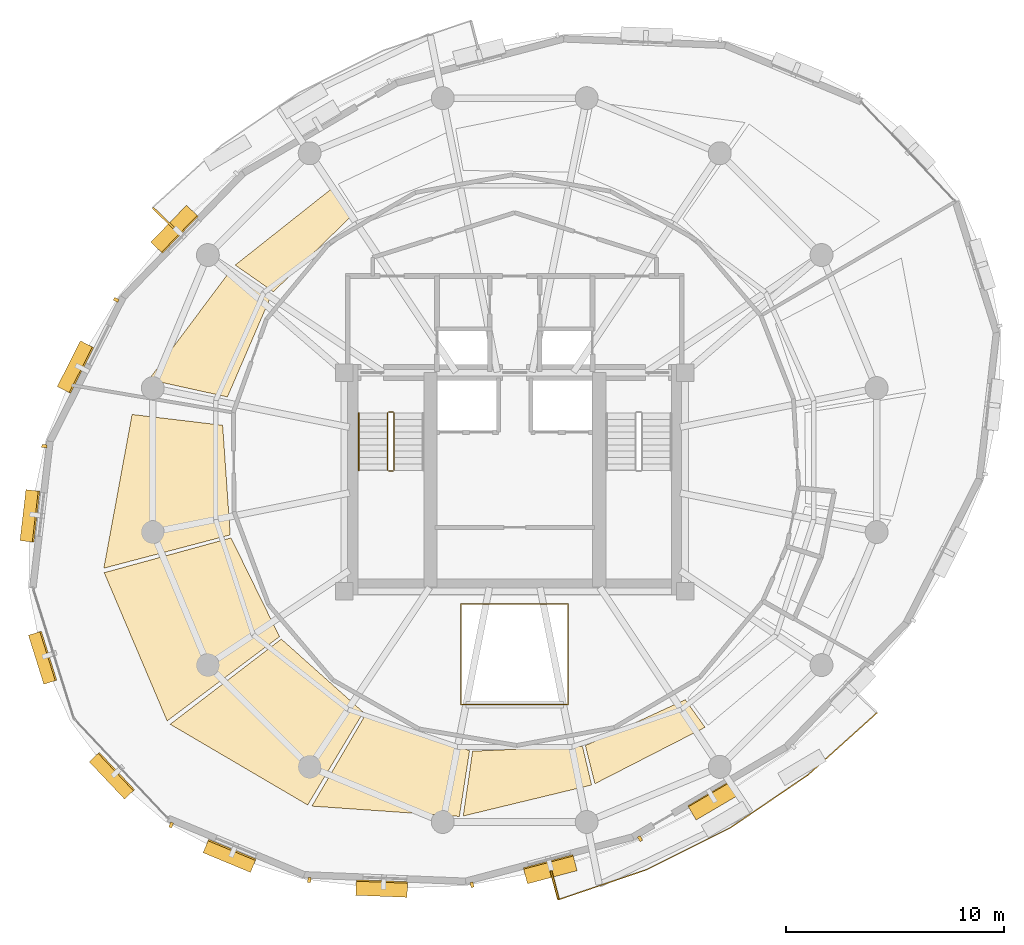
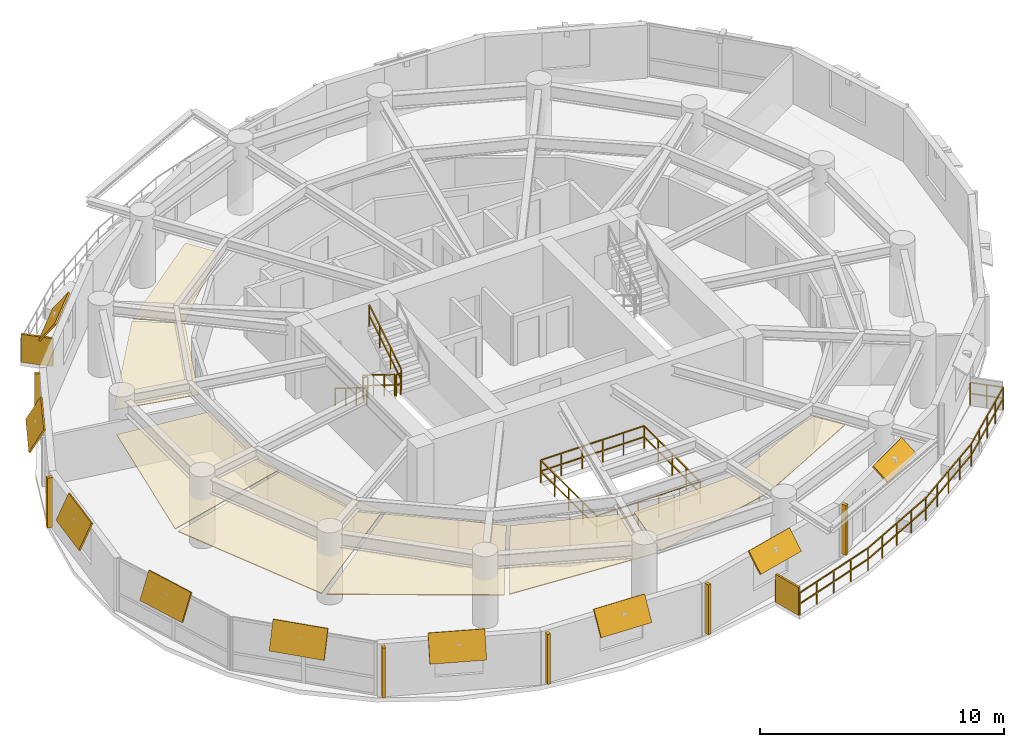
# One storey, part 13 of 14: 17 shading devices, 8 coverings, 7 railings.
"""IFC4 building model written with IfcOpenShell, lengths in metres."""

import ifcopenshell
import ifcopenshell.guid

model = None  # the IFC model being written
_history = None  # IfcOwnerHistory: only IFC2X3 demands one
_inside = {}  # id of a spatial element -> (the spatial element, [elements in it])
_under = {}  # id of a project, library or spatial element -> (it, [spatial elements below it])
_declared = {}  # id of a project -> (the project, [libraries it declares])
_typed = {}  # id of a type object -> (the type object, [elements of that type])
_made_of = {}  # id of a material, layer set ... -> (it, [elements and type objects made of it])


def new_model(schema):
    """Start an empty IFC model of exactly this schema.

    Asked for "IFC4X3", IfcOpenShell would pick the latest addendum, in which some entities
    have other attributes; the version numbers below select the first issue.
    IFC2X3 requires an IfcOwnerHistory on every rooted entity: one is made here for all.
    """
    global model, _history
    if schema == "IFC4X3":
        model = ifcopenshell.file(schema_version=(4, 3, 0, 0))
    else:
        model = ifcopenshell.file(schema=schema)
    _inside.clear()
    _under.clear()
    _declared.clear()
    _typed.clear()
    _made_of.clear()
    _history = None
    if model.schema == "IFC2X3":
        org = make("IfcOrganization", Name="unknown")
        user = make(
            "IfcPersonAndOrganization",
            ThePerson=make("IfcPerson", FamilyName="unknown"),
            TheOrganization=org,
        )
        app = make(
            "IfcApplication",
            ApplicationDeveloper=org,
            Version="unknown",
            ApplicationFullName="unknown",
            ApplicationIdentifier="unknown",
        )
        _history = make(
            "IfcOwnerHistory",
            OwningUser=user,
            OwningApplication=app,
            ChangeAction="ADDED",
            CreationDate=0,
        )
    return model


def make(cls, **values):
    """One entity of the class cls with the attributes given. An attribute that is None is left unset."""
    return model.create_entity(
        cls, **{name: value for name, value in values.items() if value is not None}
    )


def rooted(cls, **values):
    """An entity with a GlobalId (a new one), such as an element, a storey or a relation."""
    return make(cls, GlobalId=ifcopenshell.guid.new(), OwnerHistory=_history, **values)


def si_unit(unit_type, name, prefix=None):
    """IfcSIUnit, for example si_unit("LENGTHUNIT", "METRE", prefix="MILLI")."""
    return make("IfcSIUnit", UnitType=unit_type, Prefix=prefix, Name=name)


def assignment(units):
    """IfcUnitAssignment: the units of a project."""
    return None if units is None else make("IfcUnitAssignment", Units=units)


def point(xyz):
    """IfcCartesianPoint."""
    return None if xyz is None else make("IfcCartesianPoint", Coordinates=xyz)


def direction(xyz):
    """IfcDirection."""
    return None if xyz is None else make("IfcDirection", DirectionRatios=xyz)


def frame(location, z_axis=None, x_axis=None):
    """IfcAxis2Placement3D, a coordinate frame: its origin and axes. An axis left out is left unset."""
    return make(
        "IfcAxis2Placement3D",
        Location=point(location),
        Axis=direction(z_axis),
        RefDirection=direction(x_axis),
    )


def frame_2d(location, x_axis=None):
    """IfcAxis2Placement2D, a coordinate frame in the plane: its origin and x axis."""
    return make(
        "IfcAxis2Placement2D", Location=point(location), RefDirection=direction(x_axis)
    )


def origin():
    """The frame at (0, 0, 0) with its axes left unset."""
    return frame((0.0, 0.0, 0.0))


def origin_2d():
    """The frame at (0, 0) in the plane with its x axis left unset."""
    return frame_2d((0.0, 0.0))


def place(relative_to, where):
    """IfcLocalPlacement: puts the frame where relative to a parent placement (None: the world)."""
    return make(
        "IfcLocalPlacement", PlacementRelTo=relative_to, RelativePlacement=where
    )


def context(
    kind, dimensions, precision=None, world=None, true_north=None, identifier=None
):
    """IfcGeometricRepresentationContext, for example the 3D "Model" context."""
    return make(
        "IfcGeometricRepresentationContext",
        ContextIdentifier=identifier,
        ContextType=kind,
        CoordinateSpaceDimension=dimensions,
        Precision=precision,
        WorldCoordinateSystem=world,
        TrueNorth=true_north,
    )


def subcontext(parent, identifier, kind, view, scale=None):
    """IfcGeometricRepresentationSubContext, for example "Body" below "Model"."""
    return make(
        "IfcGeometricRepresentationSubContext",
        ContextIdentifier=identifier,
        ContextType=kind,
        ParentContext=parent,
        TargetScale=scale,
        TargetView=view,
    )


def project(units=None, contexts=None):
    """IfcProject with its units and contexts."""
    return rooted(
        "IfcProject",
        Name="project",
        RepresentationContexts=contexts,
        UnitsInContext=assignment(units),
    )


def spatial(cls, under=None, at=None, **own):
    """A site, building, storey or space (cls), placed at a placement, below another one or the project."""
    s = rooted(cls, ObjectPlacement=at, **own)
    if under is not None:
        _under.setdefault(under.id(), (under, []))[1].append(s)
    return s


def polyline(points):
    """IfcPolyline through the points."""
    return make("IfcPolyline", Points=[point(p) for p in points])


def profile(cls, at=None, kind="AREA", **sizes):
    """A parametric profile (cls). Its sizes go by their IFC names, for example OverallWidth=200.0."""
    return make(cls, ProfileType=kind, Position=at, **sizes)


def rectangle(**sizes):
    """IfcRectangleProfileDef."""
    return profile("IfcRectangleProfileDef", **sizes)


def outline(outer, holes=None, kind="AREA"):
    """IfcArbitraryClosedProfileDef: a profile drawn as a closed curve; with holes, ...WithVoids."""
    if holes is None:
        return make("IfcArbitraryClosedProfileDef", ProfileType=kind, OuterCurve=outer)
    return make(
        "IfcArbitraryProfileDefWithVoids",
        ProfileType=kind,
        OuterCurve=outer,
        InnerCurves=holes,
    )


def extrude(swept, where, along, depth):
    """IfcExtrudedAreaSolid: the profile swept, set in the frame where, extruded along a direction by depth."""
    return make(
        "IfcExtrudedAreaSolid",
        SweptArea=swept,
        Position=where,
        ExtrudedDirection=direction(along),
        Depth=depth,
    )


def shape(context_of_items, identifier, shape_type, items):
    """IfcShapeRepresentation: the items that make up one representation, for example the "Body"."""
    return make(
        "IfcShapeRepresentation",
        ContextOfItems=context_of_items,
        RepresentationIdentifier=identifier,
        RepresentationType=shape_type,
        Items=items,
    )


def material(Name=None, Category=None):
    """IfcMaterial."""
    return make("IfcMaterial", Name=Name, Category=Category)


def layer(
    of_material, thickness, ventilated=None, Name=None, Category=None, Priority=None
):
    """IfcMaterialLayer: one layer of a wall or slab, of a material (None: an air gap)."""
    return make(
        "IfcMaterialLayer",
        Material=of_material,
        LayerThickness=thickness,
        IsVentilated=ventilated,
        Name=Name,
        Category=Category,
        Priority=Priority,
    )


def layer_set(layers, Name=None):
    """IfcMaterialLayerSet."""
    return make("IfcMaterialLayerSet", MaterialLayers=layers, LayerSetName=Name)


def made_of(thing, what):
    """Note that an element or type object is made of a material, layer set ...; save() writes the relation."""
    if what is not None:
        _made_of.setdefault(what.id(), (what, []))[1].append(thing)
    return thing


def type_object(cls, material=None, **own):
    """A type object (cls), such as IfcWallType, which elements share."""
    return made_of(rooted(cls, **own), material)


def element(
    cls,
    number,
    at=None,
    inside=None,
    cuts=None,
    type_object=None,
    material=None,
    context=None,
    identifier="Body",
    shape_type=None,
    held_by="IfcProductDefinitionShape",
    body=None,
    shapes=None,
    **own,
):
    """One element of the class cls, such as IfcWall. Its Tag is "e" and its number.

    at: its placement. inside: the storey or other place that contains it. cuts: it is an
    opening in that element (IfcRelVoidsElement). A single representation is given by context,
    identifier, shape_type and body (its items); several are given by shapes. held_by: the class
    of the entity that holds the representations. save() writes the other relations.
    """
    e = rooted(cls, Tag="e%d" % number, ObjectPlacement=at, **own)
    if body is not None:
        shapes = [shape(context, identifier, shape_type, body)]
    if shapes is not None:
        e.Representation = make(held_by, Representations=shapes)
    if inside is not None:
        _inside.setdefault(inside.id(), (inside, []))[1].append(e)
    if cuts is not None:
        rooted(
            "IfcRelVoidsElement", RelatingBuildingElement=cuts, RelatedOpeningElement=e
        )
    if type_object is not None:
        _typed.setdefault(type_object.id(), (type_object, []))[1].append(e)
    return made_of(e, material)


def aggregate(whole, parts):
    """IfcRelAggregates: a whole, such as a stair, and the parts it consists of."""
    return rooted("IfcRelAggregates", RelatingObject=whole, RelatedObjects=parts)


def save(model, path):
    """Write the relations noted so far, then the file.

    IfcRelAggregates (storeys below a building ...), IfcRelContainedInSpatialStructure (elements
    in a storey), IfcRelDefinesByType, IfcRelAssociatesMaterial and IfcRelDeclares: one each for
    every whole, place, type object, material and project.
    """
    for whole, parts in _under.values():
        aggregate(whole, parts)
    for where, things in _inside.values():
        rooted(
            "IfcRelContainedInSpatialStructure",
            RelatedElements=things,
            RelatingStructure=where,
        )
    for kind, things in _typed.values():
        rooted("IfcRelDefinesByType", RelatedObjects=things, RelatingType=kind)
    for what, things in _made_of.values():
        rooted("IfcRelAssociatesMaterial", RelatedObjects=things, RelatingMaterial=what)
    for by, libraries in _declared.values():
        rooted("IfcRelDeclares", RelatingContext=by, RelatedDefinitions=libraries)
    model.write(path)


model = new_model("IFC4")

# Units and contexts
model_context = context("Model", 3, precision=1e-05, world=origin(), true_north=direction((0.0, 1.0)))
body_context = subcontext(model_context, "Body", "Model", "MODEL_VIEW")
ifc_project = project(units=[si_unit("LENGTHUNIT", "METRE"), si_unit("AREAUNIT", "SQUARE_METRE"), si_unit("VOLUMEUNIT", "CUBIC_METRE"), si_unit("PLANEANGLEUNIT", "RADIAN"), si_unit("MASSUNIT", "GRAM", prefix="KILO"), si_unit("THERMODYNAMICTEMPERATUREUNIT", "KELVIN"), si_unit("POWERUNIT", "WATT")], contexts=[model_context])

# Site, building, storey
site_placement = place(None, origin())
site = spatial("IfcSite", under=ifc_project, at=site_placement, CompositionType="ELEMENT")
building_placement = place(site_placement, origin())
building = spatial("IfcBuilding", under=site, at=building_placement, Name="Ocrelia Relay Tower", CompositionType="ELEMENT")
storey_placement = place(building_placement, frame((0.0, 0.0, 162.800048828125)))
storey = spatial("IfcBuildingStorey", under=building, at=storey_placement, Name="L38", CompositionType="ELEMENT", Elevation=162.800048828125)

# Coverings
ifc_material_1 = material(Name="Mineral-fiber acoustic ceiling tile", Category="gypsum")
ifc_layer_1 = layer(ifc_material_1, 0.0400390625, Name="Mineral-fiber acoustic ceiling tile")
ifc_layer_set_1 = layer_set([ifc_layer_1], Name="Mineral-fiber acoustic ceiling tile")
covering_type_1 = type_object("IfcCoveringType", Name="COV-CEIL-ACOUSTIC", PredefinedType="CEILING", material=ifc_layer_set_1)
covering_1_placement = place(storey_placement, frame((0.0, 0.0, 2.3798828125)))
element("IfcCovering", 1, at=covering_1_placement, inside=storey, type_object=covering_type_1, Name="L38 Cloud Engineering Workspace Suspended Ceiling 5", PredefinedType="CEILING", context=body_context, shape_type="SweptSolid", body=[
    extrude(outline(polyline([(26.624267578125, 37.271240234375), (25.7822265625, 38.55810546875), (21.19921875, 34.93017578125), (22.95263671875, 33.706787109375), (26.624267578125, 37.271240234375)])), origin(), (0.0, 0.0, 1.0), 0.0400390625),
])
covering_2_placement = place(storey_placement, frame((0.0, 0.0, 2.3798828125)))
element("IfcCovering", 2, at=covering_2_placement, inside=storey, type_object=covering_type_1, Name="L38 Cloud Engineering Workspace Suspended Ceiling 6", PredefinedType="CEILING", context=body_context, shape_type="SweptSolid", body=[
    extrude(outline(polyline([(22.87255859375, 33.5908203125), (21.081787109375, 34.812255859375), (17.244384765625, 29.68408203125), (20.84423828125, 28.892578125), (22.87255859375, 33.5908203125)])), origin(), (0.0, 0.0, 1.0), 0.0400390625),
])
ifc_material_2 = material(Name="Cleanroom metal-pan acoustic ceiling", Category="aluminium")
ifc_layer_2 = layer(ifc_material_2, 0.0400390625, Name="Cleanroom metal-pan acoustic ceiling")
ifc_layer_set_2 = layer_set([ifc_layer_2], Name="Cleanroom metal-pan acoustic ceiling")
covering_type_2 = type_object("IfcCoveringType", Name="COV-CEIL-CLEAN", PredefinedType="CEILING", material=ifc_layer_set_2)
covering_3_placement = place(storey_placement, frame((0.0, 0.0, 2.3798828125)))
element("IfcCovering", 3, at=covering_3_placement, inside=storey, type_object=covering_type_2, Name="L38 Protocol Simulation Studio Suspended Ceiling 1", PredefinedType="CEILING", context=body_context, shape_type="SweptSolid", body=[
    extrude(outline(polyline([(20.624755859375, 27.594970703125), (16.476318359375, 28.089599609375), (15.18408203125, 21.048583984375), (20.973388671875, 22.572021484375), (20.624755859375, 27.594970703125)])), origin(), (0.0, 0.0, 1.0), 0.0400390625),
])
covering_4_placement = place(storey_placement, frame((0.0, 0.0, 2.3798828125)))
element("IfcCovering", 4, at=covering_4_placement, inside=storey, type_object=covering_type_2, Name="L38 Protocol Simulation Studio Suspended Ceiling 2", PredefinedType="CEILING", context=body_context, shape_type="SweptSolid", body=[
    extrude(outline(polyline([(21.010009765625, 22.435791015625), (15.199951171875, 20.841796875), (18.08203125, 14.0546875), (23.226318359375, 17.9150390625), (21.010009765625, 22.435791015625)])), origin(), (0.0, 0.0, 1.0), 0.0400390625),
])
covering_5_placement = place(storey_placement, frame((0.0, 0.0, 2.3798828125)))
element("IfcCovering", 5, at=covering_5_placement, inside=storey, type_object=covering_type_2, Name="L38 Protocol Simulation Studio Suspended Ceiling 3", PredefinedType="CEILING", context=body_context, shape_type="SweptSolid", body=[
    extrude(outline(polyline([(23.3115234375, 17.802490234375), (18.222900390625, 13.900146484375), (24.519287109375, 10.203857421875), (27.068115234375, 14.450439453125), (23.3115234375, 17.802490234375)])), origin(), (0.0, 0.0, 1.0), 0.0400390625),
])
covering_6_placement = place(storey_placement, frame((0.0, 0.0, 2.3798828125)))
element("IfcCovering", 6, at=covering_6_placement, inside=storey, type_object=covering_type_2, Name="L38 Protocol Simulation Studio Suspended Ceiling 4", PredefinedType="CEILING", context=body_context, shape_type="SweptSolid", body=[
    extrude(outline(polyline([(27.189453125, 14.37841796875), (24.71240234375, 10.151611328125), (31.46533203125, 9.681396484375), (31.9326171875, 12.689697265625), (27.189453125, 14.37841796875)])), origin(), (0.0, 0.0, 1.0), 0.0400390625),
])
covering_7_placement = place(storey_placement, frame((0.0, 0.0, 2.3798828125)))
element("IfcCovering", 7, at=covering_7_placement, inside=storey, type_object=covering_type_2, Name="L38 Protocol Simulation Studio Suspended Ceiling 5", PredefinedType="CEILING", context=body_context, shape_type="SweptSolid", body=[
    extrude(outline(polyline([(32.072021484375, 12.668701171875), (31.642822265625, 9.699951171875), (37.521484375, 11.119384765625), (37.10205078125, 12.89208984375), (32.072021484375, 12.668701171875)])), origin(), (0.0, 0.0, 1.0), 0.0400390625),
])
covering_8_placement = place(storey_placement, frame((0.0, 0.0, 2.3798828125)))
element("IfcCovering", 8, at=covering_8_placement, inside=storey, type_object=covering_type_2, Name="L38 Protocol Simulation Studio Suspended Ceiling 6", PredefinedType="CEILING", context=body_context, shape_type="SweptSolid", body=[
    extrude(outline(polyline([(37.239013671875, 12.92529296875), (37.67236328125, 11.1767578125), (42.71630859375, 13.760986328125), (41.81396484375, 15.028076171875), (37.239013671875, 12.92529296875)])), origin(), (0.0, 0.0, 1.0), 0.0400390625),
])

# Railings
ifc_material_3 = material(Name="Steel S355 balustrade", Category="steel")
railing_type_1 = type_object("IfcRailingType", Name="RL-EXT-GUARD-1150", PredefinedType="GUARDRAIL", material=ifc_material_3)
railing_1_placement = place(storey_placement, frame((49.590576171875, 15.3935546875, 0.0)))
element("IfcRailing", 9, at=railing_1_placement, inside=storey, type_object=railing_type_1, Name="L38 Loggia Balcony Guard Rail B2", PredefinedType="GUARDRAIL", context=body_context, shape_type="SweptSolid", body=[
    extrude(rectangle(XDim=0.048095703125, YDim=0.048095703125, at=origin_2d()), frame((0.0, 0.0, 1.1259765625), z_axis=(0.719869312116, -0.694109626409, 0.0), x_axis=(0.694109626409, 0.719869312116, 0.0)), (0.0, 0.0, 1.0), 1.393310546875),
    extrude(rectangle(XDim=0.048095703125, YDim=0.048095703125, at=origin_2d()), frame((0.0, 0.0, 0.574951171875), z_axis=(0.719869312116, -0.694109626409, 0.0), x_axis=(0.694109626409, 0.719869312116, 0.0)), (0.0, 0.0, 1.0), 1.393310546875),
    extrude(rectangle(XDim=0.048095703125, YDim=0.048095703125, at=origin_2d()), frame((1.0029296875, -0.967041015625, 1.1259765625), z_axis=(-0.742997237485, -0.669294483087, 0.0), x_axis=(0.669294483087, -0.742997237485, 0.0)), (0.0, 0.0, 1.0), 2.126708984375),
    extrude(rectangle(XDim=0.048095703125, YDim=0.048095703125, at=origin_2d()), frame((1.0029296875, -0.967041015625, 0.574951171875), z_axis=(-0.742997237485, -0.669294483087, 0.0), x_axis=(0.669294483087, -0.742997237485, 0.0)), (0.0, 0.0, 1.0), 2.126708984375),
    extrude(rectangle(XDim=0.048095703125, YDim=0.048095703125, at=origin_2d()), frame((-0.5771484375, -2.390380859375, 1.1259765625), z_axis=(-0.742997237485, -0.669294483087, 0.0), x_axis=(0.669294483087, -0.742997237485, 0.0)), (0.0, 0.0, 1.0), 2.126708984375),
    extrude(rectangle(XDim=0.048095703125, YDim=0.048095703125, at=origin_2d()), frame((-0.5771484375, -2.390380859375, 0.574951171875), z_axis=(-0.742997237485, -0.669294483087, 0.0), x_axis=(0.669294483087, -0.742997237485, 0.0)), (0.0, 0.0, 1.0), 2.126708984375),
    extrude(rectangle(XDim=0.048095703125, YDim=0.048095703125, at=origin_2d()), frame((-2.1572265625, -3.813720703125, 1.1259765625), z_axis=(-0.826682428882, -0.562668785146, 0.0), x_axis=(0.562668785146, -0.826682428882, 0.0)), (0.0, 0.0, 1.0), 4.299072265625),
    extrude(rectangle(XDim=0.048095703125, YDim=0.048095703125, at=origin_2d()), frame((-2.1572265625, -3.813720703125, 0.574951171875), z_axis=(-0.826682428882, -0.562668785146, 0.0), x_axis=(0.562668785146, -0.826682428882, 0.0)), (0.0, 0.0, 1.0), 4.299072265625),
    extrude(rectangle(XDim=0.048095703125, YDim=0.048095703125, at=origin_2d()), frame((-5.711181640625, -6.232666015625, 1.1259765625), z_axis=(-0.894449906034, -0.447168162547, 0.0), x_axis=(0.447168162547, -0.894449906034, 0.0)), (0.0, 0.0, 1.0), 4.299072265625),
    extrude(rectangle(XDim=0.048095703125, YDim=0.048095703125, at=origin_2d()), frame((-5.711181640625, -6.232666015625, 0.574951171875), z_axis=(-0.894449906034, -0.447168162547, 0.0), x_axis=(0.447168162547, -0.894449906034, 0.0)), (0.0, 0.0, 1.0), 4.299072265625),
    extrude(rectangle(XDim=0.048095703125, YDim=0.048095703125, at=origin_2d()), frame((-9.556396484375, -8.155029296875, 1.1259765625), z_axis=(-0.946737052501, -0.322007691556, 0.0), x_axis=(0.322007691556, -0.946737052501, 0.0)), (0.0, 0.0, 1.0), 2.126708984375),
    extrude(rectangle(XDim=0.048095703125, YDim=0.048095703125, at=origin_2d()), frame((-9.556396484375, -8.155029296875, 0.574951171875), z_axis=(-0.946737052501, -0.322007691556, 0.0), x_axis=(0.322007691556, -0.946737052501, 0.0)), (0.0, 0.0, 1.0), 2.126708984375),
    extrude(rectangle(XDim=0.048095703125, YDim=0.048095703125, at=origin_2d()), frame((-11.56982421875, -8.83984375, 1.1259765625), z_axis=(-0.946737052501, -0.322007691556, 0.0), x_axis=(0.322007691556, -0.946737052501, 0.0)), (0.0, 0.0, 1.0), 2.126708984375),
    extrude(rectangle(XDim=0.048095703125, YDim=0.048095703125, at=origin_2d()), frame((-11.56982421875, -8.83984375, 0.574951171875), z_axis=(-0.946737052501, -0.322007691556, 0.0), x_axis=(0.322007691556, -0.946737052501, 0.0)), (0.0, 0.0, 1.0), 2.126708984375),
    extrude(rectangle(XDim=0.048095703125, YDim=0.048095703125, at=origin_2d()), frame((-13.583251953125, -9.524658203125, 1.1259765625), z_axis=(-0.254596796515, 0.967047295226, 0.0), x_axis=(-0.967047295226, -0.254596796515, 0.0)), (0.0, 0.0, 1.0), 1.393310546875),
    extrude(rectangle(XDim=0.048095703125, YDim=0.048095703125, at=origin_2d()), frame((-13.583251953125, -9.524658203125, 0.574951171875), z_axis=(-0.254596796515, 0.967047295226, 0.0), x_axis=(-0.967047295226, -0.254596796515, 0.0)), (0.0, 0.0, 1.0), 1.393310546875),
    extrude(rectangle(XDim=0.0419921875, YDim=0.0419921875, at=origin_2d()), origin(), (0.0, 0.0, 1.0), 1.101806640625),
    extrude(rectangle(XDim=0.0419921875, YDim=0.0419921875, at=origin_2d()), frame((0.50146484375, -0.4833984375, 0.0)), (0.0, 0.0, 1.0), 1.101806640625),
    extrude(rectangle(XDim=0.0419921875, YDim=0.0419921875, at=origin_2d()), frame((1.0029296875, -0.967041015625, 0.0)), (0.0, 0.0, 1.0), 1.101806640625),
    extrude(rectangle(XDim=0.0419921875, YDim=0.0419921875, at=origin_2d()), frame((0.212890625, -1.6787109375, 0.0)), (0.0, 0.0, 1.0), 1.101806640625),
    extrude(rectangle(XDim=0.0419921875, YDim=0.0419921875, at=origin_2d()), frame((-0.5771484375, -2.390380859375, 0.0)), (0.0, 0.0, 1.0), 1.101806640625),
    extrude(rectangle(XDim=0.0419921875, YDim=0.0419921875, at=origin_2d()), frame((-1.3671875, -3.10205078125, 0.0)), (0.0, 0.0, 1.0), 1.101806640625),
    extrude(rectangle(XDim=0.0419921875, YDim=0.0419921875, at=origin_2d()), frame((-2.1572265625, -3.813720703125, 0.0)), (0.0, 0.0, 1.0), 1.101806640625),
    extrude(rectangle(XDim=0.0419921875, YDim=0.0419921875, at=origin_2d()), frame((-3.045654296875, -4.41845703125, 0.0)), (0.0, 0.0, 1.0), 1.101806640625),
    extrude(rectangle(XDim=0.0419921875, YDim=0.0419921875, at=origin_2d()), frame((-3.93408203125, -5.023193359375, 0.0)), (0.0, 0.0, 1.0), 1.101806640625),
    extrude(rectangle(XDim=0.0419921875, YDim=0.0419921875, at=origin_2d()), frame((-4.82275390625, -5.6279296875, 0.0)), (0.0, 0.0, 1.0), 1.101806640625),
    extrude(rectangle(XDim=0.0419921875, YDim=0.0419921875, at=origin_2d()), frame((-5.711181640625, -6.232666015625, 0.0)), (0.0, 0.0, 1.0), 1.101806640625),
    extrude(rectangle(XDim=0.0419921875, YDim=0.0419921875, at=origin_2d()), frame((-6.67236328125, -6.71337890625, 0.0)), (0.0, 0.0, 1.0), 1.101806640625),
    extrude(rectangle(XDim=0.0419921875, YDim=0.0419921875, at=origin_2d()), frame((-7.6337890625, -7.19384765625, 0.0)), (0.0, 0.0, 1.0), 1.101806640625),
    extrude(rectangle(XDim=0.0419921875, YDim=0.0419921875, at=origin_2d()), frame((-8.59521484375, -7.67431640625, 0.0)), (0.0, 0.0, 1.0), 1.101806640625),
    extrude(rectangle(XDim=0.0419921875, YDim=0.0419921875, at=origin_2d()), frame((-9.556396484375, -8.155029296875, 0.0)), (0.0, 0.0, 1.0), 1.101806640625),
    extrude(rectangle(XDim=0.0419921875, YDim=0.0419921875, at=origin_2d()), frame((-10.56298828125, -8.49755859375, 0.0)), (0.0, 0.0, 1.0), 1.101806640625),
    extrude(rectangle(XDim=0.0419921875, YDim=0.0419921875, at=origin_2d()), frame((-11.56982421875, -8.83984375, 0.0)), (0.0, 0.0, 1.0), 1.101806640625),
    extrude(rectangle(XDim=0.0419921875, YDim=0.0419921875, at=origin_2d()), frame((-12.57666015625, -9.18212890625, 0.0)), (0.0, 0.0, 1.0), 1.101806640625),
    extrude(rectangle(XDim=0.0419921875, YDim=0.0419921875, at=origin_2d()), frame((-13.583251953125, -9.524658203125, 0.0)), (0.0, 0.0, 1.0), 1.101806640625),
    extrude(rectangle(XDim=0.0419921875, YDim=0.0419921875, at=origin_2d()), frame((-13.7607421875, -8.85107421875, 0.0)), (0.0, 0.0, 1.0), 1.101806640625),
    extrude(rectangle(XDim=0.0419921875, YDim=0.0419921875, at=origin_2d()), frame((-13.93798828125, -8.17724609375, 0.0)), (0.0, 0.0, 1.0), 1.101806640625),
])
ifc_material_4 = material(Name="Steel S355 atrium balustrade", Category="steel")
railing_type_2 = type_object("IfcRailingType", Name="RL-INT-GUARD-115", PredefinedType="GUARDRAIL", material=ifc_material_4)
railing_2_placement = place(storey_placement, frame((31.550048828125, 14.800048828125, 0.0)))
element("IfcRailing", 10, at=railing_2_placement, inside=storey, type_object=railing_type_2, Name="L38 Multi-Zone Interior Atrium Guard", PredefinedType="GUARDRAIL", context=body_context, shape_type="SweptSolid", body=[
    extrude(rectangle(XDim=0.048095703125, YDim=0.048095703125, at=origin_2d()), frame((0.0, 0.0, 1.1259765625), z_axis=(1.0, 0.0, 0.0), x_axis=(0.0, 1.0, 0.0)), (0.0, 0.0, 1.0), 4.89990234375),
    extrude(rectangle(XDim=0.048095703125, YDim=0.048095703125, at=origin_2d()), frame((0.0, 0.0, 0.574951171875), z_axis=(1.0, 0.0, 0.0), x_axis=(0.0, 1.0, 0.0)), (0.0, 0.0, 1.0), 4.89990234375),
    extrude(rectangle(XDim=0.048095703125, YDim=0.048095703125, at=origin_2d()), frame((4.89990234375, 0.0, 1.1259765625), z_axis=(0.0, 1.0, 0.0), x_axis=(-1.0, 0.0, 0.0)), (0.0, 0.0, 1.0), 4.599853515625),
    extrude(rectangle(XDim=0.048095703125, YDim=0.048095703125, at=origin_2d()), frame((4.89990234375, 0.0, 0.574951171875), z_axis=(0.0, 1.0, 0.0), x_axis=(-1.0, 0.0, 0.0)), (0.0, 0.0, 1.0), 4.599853515625),
    extrude(rectangle(XDim=0.048095703125, YDim=0.048095703125, at=origin_2d()), frame((4.89990234375, 4.599853515625, 1.1259765625), z_axis=(-1.0, 0.0, 0.0), x_axis=(0.0, -1.0, 0.0)), (0.0, 0.0, 1.0), 4.89990234375),
    extrude(rectangle(XDim=0.048095703125, YDim=0.048095703125, at=origin_2d()), frame((4.89990234375, 4.599853515625, 0.574951171875), z_axis=(-1.0, 0.0, 0.0), x_axis=(0.0, -1.0, 0.0)), (0.0, 0.0, 1.0), 4.89990234375),
    extrude(rectangle(XDim=0.048095703125, YDim=0.048095703125, at=origin_2d()), frame((0.0, 4.599853515625, 1.1259765625), z_axis=(0.0, -1.0, 0.0), x_axis=(1.0, 0.0, 0.0)), (0.0, 0.0, 1.0), 4.599853515625),
    extrude(rectangle(XDim=0.048095703125, YDim=0.048095703125, at=origin_2d()), frame((0.0, 4.599853515625, 0.574951171875), z_axis=(0.0, -1.0, 0.0), x_axis=(1.0, 0.0, 0.0)), (0.0, 0.0, 1.0), 4.599853515625),
    extrude(rectangle(XDim=0.0419921875, YDim=0.0419921875, at=origin_2d()), origin(), (0.0, 0.0, 1.0), 1.101806640625),
    extrude(rectangle(XDim=0.0419921875, YDim=0.0419921875, at=origin_2d()), frame((0.97998046875, 0.0, 0.0)), (0.0, 0.0, 1.0), 1.101806640625),
    extrude(rectangle(XDim=0.0419921875, YDim=0.0419921875, at=origin_2d()), frame((1.9599609375, 0.0, 0.0)), (0.0, 0.0, 1.0), 1.101806640625),
    extrude(rectangle(XDim=0.0419921875, YDim=0.0419921875, at=origin_2d()), frame((2.93994140625, 0.0, 0.0)), (0.0, 0.0, 1.0), 1.101806640625),
    extrude(rectangle(XDim=0.0419921875, YDim=0.0419921875, at=origin_2d()), frame((3.919921875, 0.0, 0.0)), (0.0, 0.0, 1.0), 1.101806640625),
    extrude(rectangle(XDim=0.0419921875, YDim=0.0419921875, at=origin_2d()), frame((4.89990234375, 0.0, 0.0)), (0.0, 0.0, 1.0), 1.101806640625),
    extrude(rectangle(XDim=0.0419921875, YDim=0.0419921875, at=origin_2d()), frame((4.89990234375, 1.14990234375, 0.0)), (0.0, 0.0, 1.0), 1.101806640625),
    extrude(rectangle(XDim=0.0419921875, YDim=0.0419921875, at=origin_2d()), frame((4.89990234375, 2.2998046875, 0.0)), (0.0, 0.0, 1.0), 1.101806640625),
    extrude(rectangle(XDim=0.0419921875, YDim=0.0419921875, at=origin_2d()), frame((4.89990234375, 3.449951171875, 0.0)), (0.0, 0.0, 1.0), 1.101806640625),
    extrude(rectangle(XDim=0.0419921875, YDim=0.0419921875, at=origin_2d()), frame((4.89990234375, 4.599853515625, 0.0)), (0.0, 0.0, 1.0), 1.101806640625),
    extrude(rectangle(XDim=0.0419921875, YDim=0.0419921875, at=origin_2d()), frame((3.919921875, 4.599853515625, 0.0)), (0.0, 0.0, 1.0), 1.101806640625),
    extrude(rectangle(XDim=0.0419921875, YDim=0.0419921875, at=origin_2d()), frame((2.93994140625, 4.599853515625, 0.0)), (0.0, 0.0, 1.0), 1.101806640625),
    extrude(rectangle(XDim=0.0419921875, YDim=0.0419921875, at=origin_2d()), frame((1.9599609375, 4.599853515625, 0.0)), (0.0, 0.0, 1.0), 1.101806640625),
    extrude(rectangle(XDim=0.0419921875, YDim=0.0419921875, at=origin_2d()), frame((0.97998046875, 4.599853515625, 0.0)), (0.0, 0.0, 1.0), 1.101806640625),
    extrude(rectangle(XDim=0.0419921875, YDim=0.0419921875, at=origin_2d()), frame((0.0, 4.599853515625, 0.0)), (0.0, 0.0, 1.0), 1.101806640625),
    extrude(rectangle(XDim=0.0419921875, YDim=0.0419921875, at=origin_2d()), frame((0.0, 3.449951171875, 0.0)), (0.0, 0.0, 1.0), 1.101806640625),
    extrude(rectangle(XDim=0.0419921875, YDim=0.0419921875, at=origin_2d()), frame((0.0, 2.2998046875, 0.0)), (0.0, 0.0, 1.0), 1.101806640625),
    extrude(rectangle(XDim=0.0419921875, YDim=0.0419921875, at=origin_2d()), frame((0.0, 1.14990234375, 0.0)), (0.0, 0.0, 1.0), 1.101806640625),
])
railing_type_3 = type_object("IfcRailingType", Name="RL-STAIR-GUARD", PredefinedType="GUARDRAIL", material=ifc_material_3)
railing_3_placement = place(storey_placement, frame((28.179931640625, 28.14990234375, 0.179931640625)))
element("IfcRailing", 11, at=railing_3_placement, inside=storey, type_object=railing_type_3, Name="L38 ST1 stair guard 1", PredefinedType="GUARDRAIL", context=body_context, shape_type="SweptSolid", body=[
    extrude(rectangle(XDim=0.048095703125, YDim=0.048095703125, at=origin_2d()), frame((0.0, 0.0, 1.076171875), z_axis=(0.0, -0.849610693518, 0.52741034258), x_axis=(1.0, 0.0, 0.0)), (0.0, 0.0, 1.0), 3.07177734375),
    extrude(rectangle(XDim=0.048095703125, YDim=0.048095703125, at=origin_2d()), frame((0.0, 0.0, 0.550048828125), z_axis=(0.0, -0.849610693518, 0.52741034258), x_axis=(1.0, 0.0, 0.0)), (0.0, 0.0, 1.0), 3.07177734375),
    extrude(rectangle(XDim=0.0419921875, YDim=0.0419921875, at=origin_2d()), origin(), (0.0, 0.0, 1.0), 1.052001953125),
    extrude(rectangle(XDim=0.0419921875, YDim=0.0419921875, at=origin_2d()), frame((0.0, -0.869873046875, 0.5400390625)), (0.0, 0.0, 1.0), 1.052001953125),
    extrude(rectangle(XDim=0.0419921875, YDim=0.0419921875, at=origin_2d()), frame((0.0, -1.739990234375, 1.080078125)), (0.0, 0.0, 1.0), 1.052001953125),
    extrude(rectangle(XDim=0.0419921875, YDim=0.0419921875, at=origin_2d()), frame((0.0, -2.60986328125, 1.6201171875)), (0.0, 0.0, 1.0), 1.052001953125),
])
railing_4_placement = place(storey_placement, frame((28.22998046875, 25.489990234375, 1.800048828125)))
element("IfcRailing", 12, at=railing_4_placement, inside=storey, type_object=railing_type_3, Name="L38 ST1 stair guard 2", PredefinedType="GUARDRAIL", context=body_context, shape_type="SweptSolid", body=[
    extrude(rectangle(XDim=0.048095703125, YDim=0.048095703125, at=origin_2d()), frame((0.0, 0.0, 1.076171875), z_axis=(1.0, 0.0, 0.0), x_axis=(0.0, 1.0, 0.0)), (0.0, 0.0, 1.0), 0.199951171875),
    extrude(rectangle(XDim=0.048095703125, YDim=0.048095703125, at=origin_2d()), frame((0.0, 0.0, 0.550048828125), z_axis=(1.0, 0.0, 0.0), x_axis=(0.0, 1.0, 0.0)), (0.0, 0.0, 1.0), 0.199951171875),
    extrude(rectangle(XDim=0.0419921875, YDim=0.0419921875, at=origin_2d()), origin(), (0.0, 0.0, 1.0), 1.052001953125),
    extrude(rectangle(XDim=0.0419921875, YDim=0.0419921875, at=origin_2d()), frame((0.199951171875, 0.0, 0.0)), (0.0, 0.0, 1.0), 1.052001953125),
])
railing_5_placement = place(storey_placement, frame((28.47998046875, 25.5400390625, 1.97998046875)))
element("IfcRailing", 13, at=railing_5_placement, inside=storey, type_object=railing_type_3, Name="L38 ST1 stair guard 3", PredefinedType="GUARDRAIL", context=body_context, shape_type="SweptSolid", body=[
    extrude(rectangle(XDim=0.048095703125, YDim=0.048095703125, at=origin_2d()), frame((0.0, 0.0, 1.076171875), z_axis=(0.0, 0.849646306263, 0.527352969322), x_axis=(-1.0, 0.0, 0.0)), (0.0, 0.0, 1.0), 3.07177734375),
    extrude(rectangle(XDim=0.048095703125, YDim=0.048095703125, at=origin_2d()), frame((0.0, 0.0, 0.550048828125), z_axis=(0.0, 0.849646306263, 0.527352969322), x_axis=(-1.0, 0.0, 0.0)), (0.0, 0.0, 1.0), 3.07177734375),
    extrude(rectangle(XDim=0.0419921875, YDim=0.0419921875, at=origin_2d()), origin(), (0.0, 0.0, 1.0), 1.052001953125),
    extrude(rectangle(XDim=0.0419921875, YDim=0.0419921875, at=origin_2d()), frame((0.0, 0.869873046875, 0.5400390625)), (0.0, 0.0, 1.0), 1.052001953125),
    extrude(rectangle(XDim=0.0419921875, YDim=0.0419921875, at=origin_2d()), frame((0.0, 1.739990234375, 1.079833984375)), (0.0, 0.0, 1.0), 1.052001953125),
    extrude(rectangle(XDim=0.0419921875, YDim=0.0419921875, at=origin_2d()), frame((0.0, 2.60986328125, 1.619873046875)), (0.0, 0.0, 1.0), 1.052001953125),
])
railing_6_placement = place(storey_placement, frame((28.22998046875, 28.199951171875, 0.0)))
element("IfcRailing", 14, at=railing_6_placement, inside=storey, type_object=railing_type_3, Name="L38 ST1 stair guard 4", PredefinedType="GUARDRAIL", context=body_context, shape_type="SweptSolid", body=[
    extrude(rectangle(XDim=0.048095703125, YDim=0.048095703125, at=origin_2d()), frame((0.0, 0.0, 1.076171875), z_axis=(1.0, 0.0, 0.0), x_axis=(0.0, 1.0, 0.0)), (0.0, 0.0, 1.0), 0.199951171875),
    extrude(rectangle(XDim=0.048095703125, YDim=0.048095703125, at=origin_2d()), frame((0.0, 0.0, 0.550048828125), z_axis=(1.0, 0.0, 0.0), x_axis=(0.0, 1.0, 0.0)), (0.0, 0.0, 1.0), 0.199951171875),
    extrude(rectangle(XDim=0.0419921875, YDim=0.0419921875, at=origin_2d()), origin(), (0.0, 0.0, 1.0), 1.052001953125),
    extrude(rectangle(XDim=0.0419921875, YDim=0.0419921875, at=origin_2d()), frame((0.199951171875, 0.0, 0.0)), (0.0, 0.0, 1.0), 1.052001953125),
])
ifc_material_5 = material(Name="Steel S355 tubular handrail", Category="steel")
railing_type_4 = type_object("IfcRailingType", Name="RL-STAIR-HAND", PredefinedType="HANDRAIL", material=ifc_material_5)
railing_7_placement = place(storey_placement, frame((26.860107421875, 28.14990234375, 0.179931640625)))
element("IfcRailing", 15, at=railing_7_placement, inside=storey, type_object=railing_type_4, Name="L38 ST1 stair handrail 1", PredefinedType="HANDRAIL", context=body_context, shape_type="SweptSolid", body=[
    extrude(rectangle(XDim=0.048095703125, YDim=0.048095703125, at=origin_2d()), frame((0.0, 0.0, 0.8759765625), z_axis=(0.0, -0.849610693518, 0.52741034258), x_axis=(1.0, 0.0, 0.0)), (0.0, 0.0, 1.0), 3.07177734375),
    extrude(rectangle(XDim=0.0419921875, YDim=0.0419921875, at=origin_2d()), origin(), (0.0, 0.0, 1.0), 0.851806640625),
    extrude(rectangle(XDim=0.0419921875, YDim=0.0419921875, at=origin_2d()), frame((0.0, -0.869873046875, 0.5400390625)), (0.0, 0.0, 1.0), 0.851806640625),
    extrude(rectangle(XDim=0.0419921875, YDim=0.0419921875, at=origin_2d()), frame((0.0, -1.739990234375, 1.080078125)), (0.0, 0.0, 1.0), 0.851806640625),
    extrude(rectangle(XDim=0.0419921875, YDim=0.0419921875, at=origin_2d()), frame((0.0, -2.60986328125, 1.6201171875)), (0.0, 0.0, 1.0), 0.851806640625),
])

# Shading devices
ifc_material_6 = material(Name="Perforated oxide terracotta solar screen", Category="masonry")
ifc_layer_3 = layer(ifc_material_6, 0.090087890625, Name="Perforated oxide terracotta solar screen")
ifc_layer_set_3 = layer_set([ifc_layer_3], Name="Perforated oxide terracotta solar screen")
shading_device_type_1 = type_object("IfcShadingDeviceType", Name="SH-BALC-SCREEN", PredefinedType="USERDEFINED", material=ifc_layer_set_3)
for number, where, z_axis, x_axis, name in (
    (16, (17.907958984375, 37.090087890625, 0.0), (0.0, 0.0, 1.0), (-0.719871188836, 0.694107680035, 0.0), "L38 Balcony Perforated Terracotta Screen B1-2"),
    (17, (35.830078125, 6.542724609375, 0.0), (0.0, 0.0, 1.0), (0.254623999407, -0.967040133048, 0.0), "L38 Balcony Perforated Terracotta Screen B2-1"),
):
    element("IfcShadingDevice", number, at=place(storey_placement, frame(where, z_axis=z_axis, x_axis=x_axis)), inside=storey, type_object=shading_device_type_1, Name=name, ObjectType="SCREEN", PredefinedType="USERDEFINED", context=body_context, shape_type="SweptSolid", body=[
        extrude(rectangle(XDim=1.340087890625, YDim=0.090087890625, at=origin_2d()), origin(), (0.0, 0.0, 1.0), 1.39990234375),
    ])
ifc_material_7 = material(Name="Extruded oxide terracotta vertical baguette", Category="masonry")
shading_device_type_2 = type_object("IfcShadingDeviceType", Name="SH-TERR-BAGUETTE", PredefinedType="USERDEFINED", material=ifc_material_7)
for number, where, z_axis, x_axis, name in (
    (18, (15.75048828125, 33.340087890625, 0.079833984375), (0.0, 0.0, 1.0), (-0.452499386618, -0.891764713986, 0.0), "L38 Oxide Terracotta Vertical Baguette 07"),
    (19, (12.46044921875, 26.641357421875, 0.079833984375), (0.0, 0.0, 1.0), (-0.115700545281, -0.993284140527, 0.0), "L38 Oxide Terracotta Vertical Baguette 08"),
    (20, (18.265869140625, 9.2880859375, 0.079833984375), (0.0, 0.0, 1.0), (0.923498332279, -0.383602437788, 0.0), "L38 Oxide Terracotta Vertical Baguette 11"),
    (21, (24.592041015625, 6.765625, 0.079833984375), (0.0, 0.0, 1.0), (0.999197543232, -0.04005333442, 0.0), "L38 Oxide Terracotta Vertical Baguette 12"),
    (22, (32.0439453125, 6.548095703125, 0.079833984375), (0.0, 0.0, 1.0), (0.966634518622, 0.256159535073, 0.0), "L38 Oxide Terracotta Vertical Baguette 13"),
    (23, (39.739013671875, 8.66259765625, 0.079833984375), (0.0, 0.0, 1.0), (0.862513161908, 0.506034628791, 0.0), "L38 Oxide Terracotta Vertical Baguette 14"),
):
    element("IfcShadingDevice", number, at=place(storey_placement, frame(where, z_axis=z_axis, x_axis=x_axis)), inside=storey, type_object=shading_device_type_2, Name=name, ObjectType="BAGUETTE", PredefinedType="USERDEFINED", context=body_context, shape_type="SweptSolid", body=[
        extrude(rectangle(XDim=0.139892578125, YDim=0.239990234375, at=origin_2d()), origin(), (0.0, 0.0, 1.0), 2.5),
    ])
ifc_material_8 = material(Name="Extruded oxide terracotta fin", Category="masonry")
ifc_layer_4 = layer(ifc_material_8, 0.080078125, Name="Extruded oxide terracotta fin")
ifc_layer_set_4 = layer_set([ifc_layer_4], Name="Extruded oxide terracotta fin")
shading_device_type_3 = type_object("IfcShadingDeviceType", Name="SH-VISOR-FIN-DEEP", PredefinedType="USERDEFINED", material=ifc_layer_set_4)
shading_device_1_placement = place(storey_placement, frame((18.44287109375, 36.5478515625, 2.4765625), z_axis=(-0.583821772803, 0.564621288408, 0.583399467156), x_axis=(-0.695187718284, -0.718828238418, 0.0)))
element("IfcShadingDevice", 24, at=shading_device_1_placement, inside=storey, type_object=shading_device_type_3, Name="L38 Canted Terracotta Sun-Visor Fin 06", ObjectType="FIN", PredefinedType="USERDEFINED", context=body_context, shape_type="SweptSolid", body=[
    extrude(rectangle(XDim=2.35009765625, YDim=1.155029296875, at=origin_2d()), origin(), (0.0, 0.0, 1.0), 0.080078125),
])
shading_device_2_placement = place(storey_placement, frame((13.917236328125, 30.242431640625, 2.480712890625), z_axis=(-0.781309365783, 0.396452117057, 0.482059533482), x_axis=(-0.452499386618, -0.891764713986, 0.0)))
element("IfcShadingDevice", 25, at=shading_device_2_placement, inside=storey, type_object=shading_device_type_3, Name="L38 Canted Terracotta Sun-Visor Fin 07", ObjectType="FIN", PredefinedType="USERDEFINED", context=body_context, shape_type="SweptSolid", body=[
    extrude(rectangle(XDim=2.35009765625, YDim=1.27001953125, at=origin_2d()), origin(), (0.0, 0.0, 1.0), 0.080078125),
])
shading_device_3_placement = place(storey_placement, frame((11.833740234375, 23.438232421875, 2.48291015625), z_axis=(-0.898528797647, 0.104663175014, 0.426252999515), x_axis=(-0.115700545281, -0.993284140527, 0.0)))
element("IfcShadingDevice", 26, at=shading_device_3_placement, inside=storey, type_object=shading_device_type_3, Name="L38 Canted Terracotta Sun-Visor Fin 08", ObjectType="FIN", PredefinedType="USERDEFINED", context=body_context, shape_type="SweptSolid", body=[
    extrude(rectangle(XDim=2.35009765625, YDim=1.3291015625, at=origin_2d()), origin(), (0.0, 0.0, 1.0), 0.080078125),
])
shading_device_4_placement = place(storey_placement, frame((12.41552734375, 16.959228515625, 2.483642578125), z_axis=(-0.871510653834, -0.273450169945, 0.407055505812), x_axis=(0.299375021731, -0.954135523059, 0.0)))
element("IfcShadingDevice", 27, at=shading_device_4_placement, inside=storey, type_object=shading_device_type_3, Name="L38 Canted Terracotta Sun-Visor Fin 09", ObjectType="FIN", PredefinedType="USERDEFINED", context=body_context, shape_type="SweptSolid", body=[
    extrude(rectangle(XDim=2.35009765625, YDim=1.35009765625, at=origin_2d()), origin(), (0.0, 0.0, 1.0), 0.080078125),
])
shading_device_5_placement = place(storey_placement, frame((15.579833984375, 11.5703125, 2.4833984375), z_axis=(-0.66073430176, -0.624400643621, 0.416598150168), x_axis=(0.686840832526, -0.726807863727, 0.0)))
element("IfcShadingDevice", 28, at=shading_device_5_placement, inside=storey, type_object=shading_device_type_3, Name="L38 Canted Terracotta Sun-Visor Fin 10", ObjectType="FIN", PredefinedType="USERDEFINED", context=body_context, shape_type="SweptSolid", body=[
    extrude(rectangle(XDim=2.35009765625, YDim=1.340087890625, at=origin_2d()), origin(), (0.0, 0.0, 1.0), 0.080078125),
])
shading_device_6_placement = place(storey_placement, frame((20.95458984375, 7.90673828125, 2.481689453125), z_axis=(-0.341609715985, -0.822403540555, 0.454923310491), x_axis=(0.923498332279, -0.383602437788, 0.0)))
element("IfcShadingDevice", 29, at=shading_device_6_placement, inside=storey, type_object=shading_device_type_3, Name="L38 Canted Terracotta Sun-Visor Fin 11", ObjectType="FIN", PredefinedType="USERDEFINED", context=body_context, shape_type="SweptSolid", body=[
    extrude(rectangle(XDim=2.35009765625, YDim=1.299072265625, at=origin_2d()), origin(), (0.0, 0.0, 1.0), 0.080078125),
])
shading_device_7_placement = place(storey_placement, frame((27.91015625, 6.412109375, 2.478759765625), z_axis=(-0.034018915088, -0.848658841311, 0.527845511945), x_axis=(0.999197543232, -0.04005333442, 0.0)))
element("IfcShadingDevice", 30, at=shading_device_7_placement, inside=storey, type_object=shading_device_type_3, Name="L38 Canted Terracotta Sun-Visor Fin 12", ObjectType="FIN", PredefinedType="USERDEFINED", context=body_context, shape_type="SweptSolid", body=[
    extrude(rectangle(XDim=2.35009765625, YDim=1.218994140625, at=origin_2d()), origin(), (0.0, 0.0, 1.0), 0.080078125),
])
ifc_layer_5 = layer(ifc_material_8, 0.080078125, Name="Extruded oxide terracotta fin")
ifc_layer_set_5 = layer_set([ifc_layer_5], Name="Extruded oxide terracotta fin")
shading_device_type_4 = type_object("IfcShadingDeviceType", Name="SH-VISOR-FIN-MED", PredefinedType="USERDEFINED", material=ifc_layer_set_5)
shading_device_8_placement = place(storey_placement, frame((35.61669921875, 7.291259765625, 2.474365234375), z_axis=(0.196888977824, -0.742973250037, 0.639707339446), x_axis=(0.966634518622, 0.256159535073, 0.0)))
element("IfcShadingDevice", 31, at=shading_device_8_placement, inside=storey, type_object=shading_device_type_4, Name="L38 Canted Terracotta Sun-Visor Fin 13", ObjectType="FIN", PredefinedType="USERDEFINED", context=body_context, shape_type="SweptSolid", body=[
    extrude(rectangle(XDim=2.35009765625, YDim=1.0869140625, at=origin_2d()), origin(), (0.0, 0.0, 1.0), 0.080078125),
])
shading_device_9_placement = place(storey_placement, frame((43.11767578125, 10.459228515625, 2.46923828125), z_axis=(0.32351036919, -0.551408807945, 0.768953423522), x_axis=(0.862513161908, 0.506034628791, 0.0)))
element("IfcShadingDevice", 32, at=shading_device_9_placement, inside=storey, type_object=shading_device_type_4, Name="L38 Canted Terracotta Sun-Visor Fin 14", ObjectType="FIN", PredefinedType="USERDEFINED", context=body_context, shape_type="SweptSolid", body=[
    extrude(rectangle(XDim=2.35009765625, YDim=0.912109375, at=origin_2d()), origin(), (0.0, 0.0, 1.0), 0.080078125),
])

save(model, "model.ifc")
